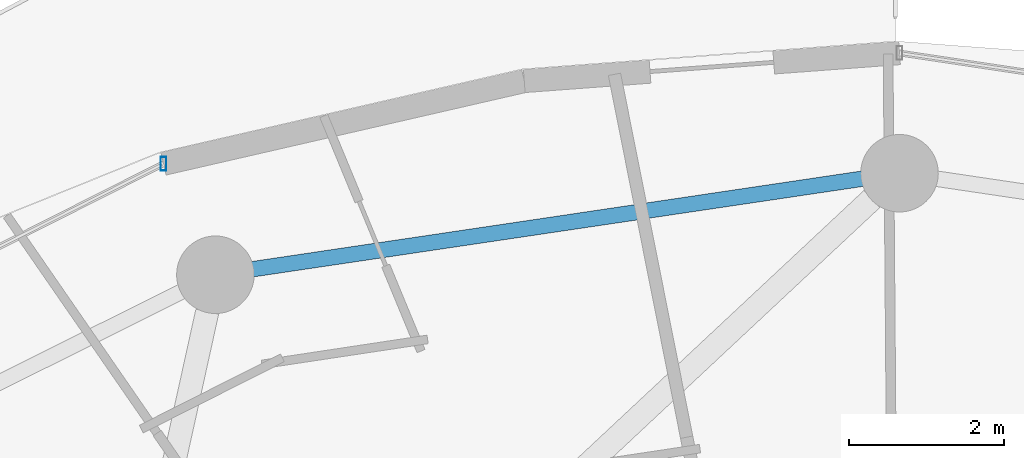
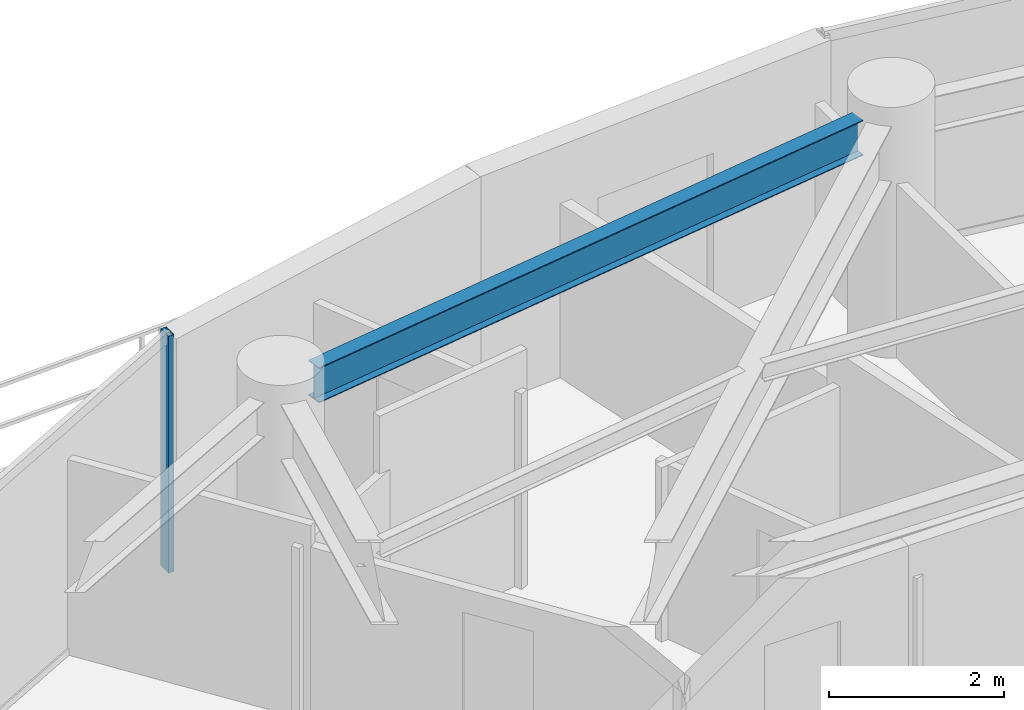
# One storey, part 17 of 30: 1 beam, 1 member, 1 element without a shape of its own.
"""IFC4 building model written with IfcOpenShell, lengths in metres."""

from ifc_helpers import new_model, si_unit, direction, frame, origin, origin_2d, place, context, subcontext, project, spatial, hollow_rectangle, i_section, extrude, material, material_profile, profile_set, type_object, element, aggregate, save


model = new_model("IFC4")

# Units and contexts
model_context = context("Model", 3, precision=1e-05, world=origin(), true_north=direction((0.0, 1.0)))
body_context = subcontext(model_context, "Body", "Model", "MODEL_VIEW")
ifc_project = project(units=[si_unit("LENGTHUNIT", "METRE"), si_unit("AREAUNIT", "SQUARE_METRE"), si_unit("VOLUMEUNIT", "CUBIC_METRE"), si_unit("PLANEANGLEUNIT", "RADIAN"), si_unit("MASSUNIT", "GRAM", prefix="KILO")], contexts=[model_context])

# Site, building, storey
site_placement = place(None, origin())
site = spatial("IfcSite", under=ifc_project, at=site_placement, CompositionType="ELEMENT")
building_placement = place(site_placement, origin())
building = spatial("IfcBuilding", under=site, at=building_placement, Name="Vorneva Point Tower", CompositionType="ELEMENT")
storey_placement = place(building_placement, frame((0.0, 0.0, 153.60009765625)))
storey = spatial("IfcBuildingStorey", under=building, at=storey_placement, Name="L41", CompositionType="ELEMENT", Elevation=153.60009765625)

# Beam
ifc_material_1 = material(Name="Steel S355", Category="steel")
ifc_material_profile_1 = material_profile(ifc_material_1, i_section(OverallWidth=0.199951171875, OverallDepth=0.491943359375, WebThickness=0.0087890625, FlangeThickness=0.011962890625, at=origin_2d()), Name="50B1")
ifc_profile_set_1 = profile_set([ifc_material_profile_1], Name="Steel S355")
beam_type = type_object("IfcBeamType", Name="BM-SPN-50B1", PredefinedType="SPANDREL", material=ifc_profile_set_1)
beam_placement = place(storey_placement, frame((37.520263671875, 43.12890625, 2.993896484375), z_axis=(-0.989161199046, -0.146833655211, 0.0), x_axis=(0.146833655211, -0.989161199046, 0.0)))
element("IfcBeam", 1, at=beam_placement, inside=storey, type_object=beam_type, Name="L41 Perimeter Spandrel Ring Beam 05", PredefinedType="SPANDREL", context=body_context, shape_type="SweptSolid", body=[
    extrude(i_section(OverallWidth=0.199951171875, OverallDepth=0.491943359375, WebThickness=0.0087890625, FlangeThickness=0.011962890625, at=origin_2d()), origin(), (0.0, 0.0, 1.0), 7.94775390625),
])

# Curtain wall, member
ifc_material_2 = material(Name="Pale anodised aluminium", Category="aluminium")
curtain_wall_type = type_object("IfcCurtainWallType", Name="CW-RES-SYS", PredefinedType="NOTDEFINED", material=ifc_material_2)
curtain_wall_placement = place(storey_placement, origin())
curtain_wall = element("IfcCurtainWall", 2, at=curtain_wall_placement, inside=storey, type_object=curtain_wall_type, Name="L41 Unitised Curtain Wall CW-L41-R03", PredefinedType="NOTDEFINED")
ifc_material_profile_2 = material_profile(ifc_material_2, hollow_rectangle(XDim=0.074951171875, YDim=0.179931640625, WallThickness=0.00390625, at=origin_2d()), Name="AL-MUL 180x75x4")
ifc_profile_set_2 = profile_set([ifc_material_profile_2], Name="Pale anodised aluminium")
member_type = type_object("IfcMemberType", Name="CW-MUL-180", PredefinedType="MULLION", material=ifc_profile_set_2)
member_placement = place(storey_placement, frame((28.509521484375, 43.32275390625, -0.0400390625), z_axis=(0.0, 0.0, 1.0), x_axis=(1.0, 0.0, 0.0)))
member = element("IfcMember", 3, at=member_placement, type_object=member_type, Name="CW-L41-R03 Mullion 01", PredefinedType="MULLION", context=body_context, shape_type="SweptSolid", body=[
    extrude(hollow_rectangle(XDim=0.074951171875, YDim=0.179931640625, WallThickness=0.00390625, at=origin_2d()), origin(), (0.0, 0.0, 1.0), 3.31005859375),
])
aggregate(curtain_wall, [member])

save(model, "model.ifc")
